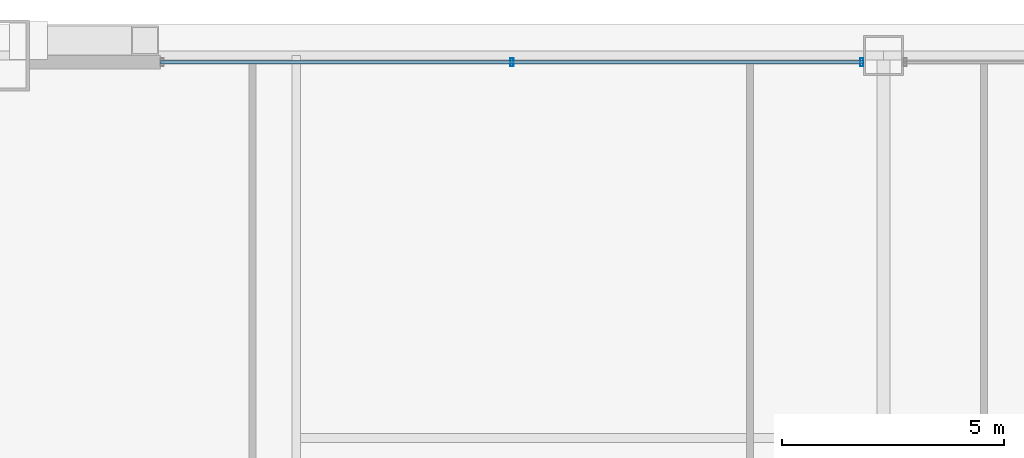
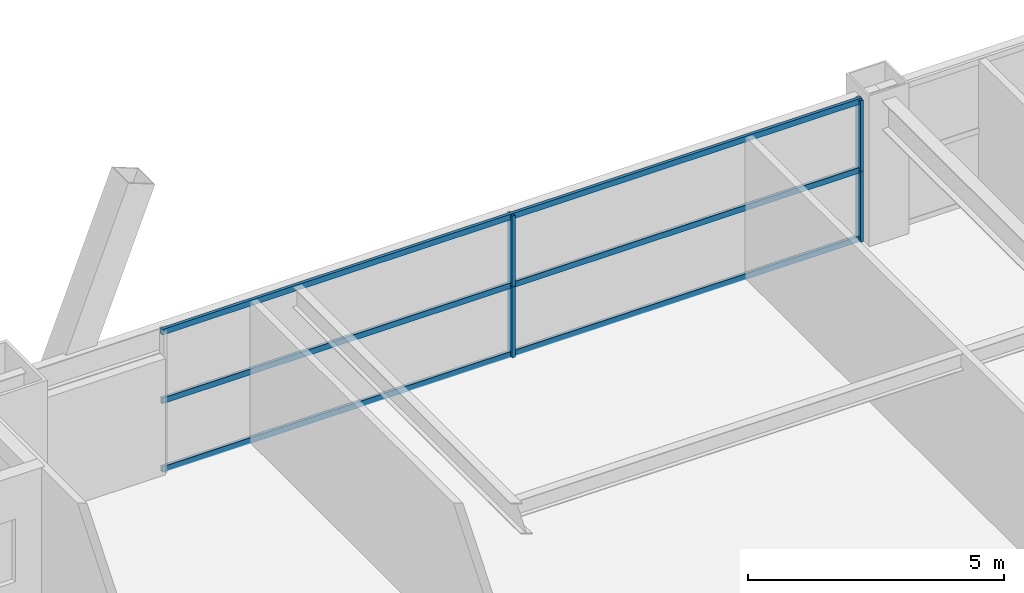
# One storey, part 30 of 43: 7 members, 1 element without a shape of its own.
"""IFC4 building model written with IfcOpenShell, lengths in metres."""

import ifcopenshell
import ifcopenshell.guid

model = None  # the IFC model being written
_history = None  # IfcOwnerHistory: only IFC2X3 demands one
_inside = {}  # id of a spatial element -> (the spatial element, [elements in it])
_under = {}  # id of a project, library or spatial element -> (it, [spatial elements below it])
_declared = {}  # id of a project -> (the project, [libraries it declares])
_typed = {}  # id of a type object -> (the type object, [elements of that type])
_made_of = {}  # id of a material, layer set ... -> (it, [elements and type objects made of it])


def new_model(schema):
    """Start an empty IFC model of exactly this schema.

    Asked for "IFC4X3", IfcOpenShell would pick the latest addendum, in which some entities
    have other attributes; the version numbers below select the first issue.
    IFC2X3 requires an IfcOwnerHistory on every rooted entity: one is made here for all.
    """
    global model, _history
    if schema == "IFC4X3":
        model = ifcopenshell.file(schema_version=(4, 3, 0, 0))
    else:
        model = ifcopenshell.file(schema=schema)
    _inside.clear()
    _under.clear()
    _declared.clear()
    _typed.clear()
    _made_of.clear()
    _history = None
    if model.schema == "IFC2X3":
        org = make("IfcOrganization", Name="unknown")
        user = make(
            "IfcPersonAndOrganization",
            ThePerson=make("IfcPerson", FamilyName="unknown"),
            TheOrganization=org,
        )
        app = make(
            "IfcApplication",
            ApplicationDeveloper=org,
            Version="unknown",
            ApplicationFullName="unknown",
            ApplicationIdentifier="unknown",
        )
        _history = make(
            "IfcOwnerHistory",
            OwningUser=user,
            OwningApplication=app,
            ChangeAction="ADDED",
            CreationDate=0,
        )
    return model


def make(cls, **values):
    """One entity of the class cls with the attributes given. An attribute that is None is left unset."""
    return model.create_entity(
        cls, **{name: value for name, value in values.items() if value is not None}
    )


def rooted(cls, **values):
    """An entity with a GlobalId (a new one), such as an element, a storey or a relation."""
    return make(cls, GlobalId=ifcopenshell.guid.new(), OwnerHistory=_history, **values)


def si_unit(unit_type, name, prefix=None):
    """IfcSIUnit, for example si_unit("LENGTHUNIT", "METRE", prefix="MILLI")."""
    return make("IfcSIUnit", UnitType=unit_type, Prefix=prefix, Name=name)


def assignment(units):
    """IfcUnitAssignment: the units of a project."""
    return None if units is None else make("IfcUnitAssignment", Units=units)


def point(xyz):
    """IfcCartesianPoint."""
    return None if xyz is None else make("IfcCartesianPoint", Coordinates=xyz)


def direction(xyz):
    """IfcDirection."""
    return None if xyz is None else make("IfcDirection", DirectionRatios=xyz)


def frame(location, z_axis=None, x_axis=None):
    """IfcAxis2Placement3D, a coordinate frame: its origin and axes. An axis left out is left unset."""
    return make(
        "IfcAxis2Placement3D",
        Location=point(location),
        Axis=direction(z_axis),
        RefDirection=direction(x_axis),
    )


def frame_2d(location, x_axis=None):
    """IfcAxis2Placement2D, a coordinate frame in the plane: its origin and x axis."""
    return make(
        "IfcAxis2Placement2D", Location=point(location), RefDirection=direction(x_axis)
    )


def origin():
    """The frame at (0, 0, 0) with its axes left unset."""
    return frame((0.0, 0.0, 0.0))


def origin_2d():
    """The frame at (0, 0) in the plane with its x axis left unset."""
    return frame_2d((0.0, 0.0))


def place(relative_to, where):
    """IfcLocalPlacement: puts the frame where relative to a parent placement (None: the world)."""
    return make(
        "IfcLocalPlacement", PlacementRelTo=relative_to, RelativePlacement=where
    )


def context(
    kind, dimensions, precision=None, world=None, true_north=None, identifier=None
):
    """IfcGeometricRepresentationContext, for example the 3D "Model" context."""
    return make(
        "IfcGeometricRepresentationContext",
        ContextIdentifier=identifier,
        ContextType=kind,
        CoordinateSpaceDimension=dimensions,
        Precision=precision,
        WorldCoordinateSystem=world,
        TrueNorth=true_north,
    )


def subcontext(parent, identifier, kind, view, scale=None):
    """IfcGeometricRepresentationSubContext, for example "Body" below "Model"."""
    return make(
        "IfcGeometricRepresentationSubContext",
        ContextIdentifier=identifier,
        ContextType=kind,
        ParentContext=parent,
        TargetScale=scale,
        TargetView=view,
    )


def project(units=None, contexts=None):
    """IfcProject with its units and contexts."""
    return rooted(
        "IfcProject",
        Name="project",
        RepresentationContexts=contexts,
        UnitsInContext=assignment(units),
    )


def spatial(cls, under=None, at=None, **own):
    """A site, building, storey or space (cls), placed at a placement, below another one or the project."""
    s = rooted(cls, ObjectPlacement=at, **own)
    if under is not None:
        _under.setdefault(under.id(), (under, []))[1].append(s)
    return s


def profile(cls, at=None, kind="AREA", **sizes):
    """A parametric profile (cls). Its sizes go by their IFC names, for example OverallWidth=200.0."""
    return make(cls, ProfileType=kind, Position=at, **sizes)


def hollow_rectangle(**sizes):
    """IfcRectangleHollowProfileDef."""
    return profile("IfcRectangleHollowProfileDef", **sizes)


def extrude(swept, where, along, depth):
    """IfcExtrudedAreaSolid: the profile swept, set in the frame where, extruded along a direction by depth."""
    return make(
        "IfcExtrudedAreaSolid",
        SweptArea=swept,
        Position=where,
        ExtrudedDirection=direction(along),
        Depth=depth,
    )


def shape(context_of_items, identifier, shape_type, items):
    """IfcShapeRepresentation: the items that make up one representation, for example the "Body"."""
    return make(
        "IfcShapeRepresentation",
        ContextOfItems=context_of_items,
        RepresentationIdentifier=identifier,
        RepresentationType=shape_type,
        Items=items,
    )


def source(mapping_origin, context_of_items, identifier, shape_type, items):
    """IfcRepresentationMap: a shape defined once, which mapped items show again and again."""
    return make(
        "IfcRepresentationMap",
        MappingOrigin=mapping_origin,
        MappedRepresentation=shape(context_of_items, identifier, shape_type, items),
    )


def transform(
    local_origin,
    x_axis=None,
    y_axis=None,
    z_axis=None,
    scale=None,
    scale2=None,
    scale3=None,
    uniform=True,
):
    """IfcCartesianTransformationOperator3D, or its non-uniform kind. x_axis, y_axis, z_axis: its Axis1, 2, 3."""
    if uniform:
        return make(
            "IfcCartesianTransformationOperator3D",
            Axis1=direction(x_axis),
            Axis2=direction(y_axis),
            LocalOrigin=point(local_origin),
            Scale=scale,
            Axis3=direction(z_axis),
        )
    return make(
        "IfcCartesianTransformationOperator3DnonUniform",
        Axis1=direction(x_axis),
        Axis2=direction(y_axis),
        LocalOrigin=point(local_origin),
        Scale=scale,
        Axis3=direction(z_axis),
        Scale2=scale2,
        Scale3=scale3,
    )


def mapped(mapping_source, mapping_target):
    """IfcMappedItem: shows the shape of a source again, moved by a transform."""
    return make(
        "IfcMappedItem", MappingSource=mapping_source, MappingTarget=mapping_target
    )


def material(Name=None, Category=None):
    """IfcMaterial."""
    return make("IfcMaterial", Name=Name, Category=Category)


def layer(
    of_material, thickness, ventilated=None, Name=None, Category=None, Priority=None
):
    """IfcMaterialLayer: one layer of a wall or slab, of a material (None: an air gap)."""
    return make(
        "IfcMaterialLayer",
        Material=of_material,
        LayerThickness=thickness,
        IsVentilated=ventilated,
        Name=Name,
        Category=Category,
        Priority=Priority,
    )


def layer_set(layers, Name=None):
    """IfcMaterialLayerSet."""
    return make("IfcMaterialLayerSet", MaterialLayers=layers, LayerSetName=Name)


def material_profile(
    of_material, cross_section, Name=None, Category=None, Priority=None
):
    """IfcMaterialProfile: a cross section and its material."""
    return make(
        "IfcMaterialProfile",
        Name=Name,
        Material=of_material,
        Profile=cross_section,
        Priority=Priority,
        Category=Category,
    )


def profile_set(profiles, Name=None, composite=None):
    """IfcMaterialProfileSet."""
    return make(
        "IfcMaterialProfileSet",
        Name=Name,
        MaterialProfiles=profiles,
        CompositeProfile=composite,
    )


def made_of(thing, what):
    """Note that an element or type object is made of a material, layer set ...; save() writes the relation."""
    if what is not None:
        _made_of.setdefault(what.id(), (what, []))[1].append(thing)
    return thing


def type_object(cls, material=None, **own):
    """A type object (cls), such as IfcWallType, which elements share."""
    return made_of(rooted(cls, **own), material)


def element(
    cls,
    number,
    at=None,
    inside=None,
    cuts=None,
    type_object=None,
    material=None,
    context=None,
    identifier="Body",
    shape_type=None,
    held_by="IfcProductDefinitionShape",
    body=None,
    shapes=None,
    **own,
):
    """One element of the class cls, such as IfcWall. Its Tag is "e" and its number.

    at: its placement. inside: the storey or other place that contains it. cuts: it is an
    opening in that element (IfcRelVoidsElement). A single representation is given by context,
    identifier, shape_type and body (its items); several are given by shapes. held_by: the class
    of the entity that holds the representations. save() writes the other relations.
    """
    e = rooted(cls, Tag="e%d" % number, ObjectPlacement=at, **own)
    if body is not None:
        shapes = [shape(context, identifier, shape_type, body)]
    if shapes is not None:
        e.Representation = make(held_by, Representations=shapes)
    if inside is not None:
        _inside.setdefault(inside.id(), (inside, []))[1].append(e)
    if cuts is not None:
        rooted(
            "IfcRelVoidsElement", RelatingBuildingElement=cuts, RelatedOpeningElement=e
        )
    if type_object is not None:
        _typed.setdefault(type_object.id(), (type_object, []))[1].append(e)
    return made_of(e, material)


def aggregate(whole, parts):
    """IfcRelAggregates: a whole, such as a stair, and the parts it consists of."""
    return rooted("IfcRelAggregates", RelatingObject=whole, RelatedObjects=parts)


def save(model, path):
    """Write the relations noted so far, then the file.

    IfcRelAggregates (storeys below a building ...), IfcRelContainedInSpatialStructure (elements
    in a storey), IfcRelDefinesByType, IfcRelAssociatesMaterial and IfcRelDeclares: one each for
    every whole, place, type object, material and project.
    """
    for whole, parts in _under.values():
        aggregate(whole, parts)
    for where, things in _inside.values():
        rooted(
            "IfcRelContainedInSpatialStructure",
            RelatedElements=things,
            RelatingStructure=where,
        )
    for kind, things in _typed.values():
        rooted("IfcRelDefinesByType", RelatedObjects=things, RelatingType=kind)
    for what, things in _made_of.values():
        rooted("IfcRelAssociatesMaterial", RelatedObjects=things, RelatingMaterial=what)
    for by, libraries in _declared.values():
        rooted("IfcRelDeclares", RelatingContext=by, RelatedDefinitions=libraries)
    model.write(path)


model = new_model("IFC4")

# Units and contexts
model_context = context("Model", 3, precision=1e-05, world=origin(), true_north=direction((0.0, 1.0)))
body_context = subcontext(model_context, "Body", "Model", "MODEL_VIEW")
ifc_project = project(units=[si_unit("LENGTHUNIT", "METRE"), si_unit("AREAUNIT", "SQUARE_METRE"), si_unit("VOLUMEUNIT", "CUBIC_METRE"), si_unit("PLANEANGLEUNIT", "RADIAN"), si_unit("MASSUNIT", "GRAM", prefix="KILO"), si_unit("THERMODYNAMICTEMPERATUREUNIT", "KELVIN"), si_unit("POWERUNIT", "WATT")], contexts=[model_context])

# Site, building, storey
site_placement = place(None, origin())
site = spatial("IfcSite", under=ifc_project, at=site_placement, CompositionType="ELEMENT")
building_placement = place(site_placement, origin())
building = spatial("IfcBuilding", under=site, at=building_placement, Name="Yuzanri Waterfront Tower", CompositionType="ELEMENT")
storey_placement = place(building_placement, frame((0.0, 0.0, 138.0)))
storey = spatial("IfcBuildingStorey", under=building, at=storey_placement, Name="L36", CompositionType="ELEMENT", Elevation=138.0)

# Curtain wall, members
ifc_material_1 = material(Name="Anodized Architectural Bronze", Category="metal")
ifc_layer = layer(ifc_material_1, 0.159912109375)
ifc_layer_set = layer_set([ifc_layer], Name="Anodized Architectural Bronze")
curtain_wall_type = type_object("IfcCurtainWallType", Name="Anodized Bronze Hotel Upper-Tier Solar-Control Unitized Curtain Wall 7800", PredefinedType="NOTDEFINED", material=ifc_layer_set)
curtain_wall_placement = place(storey_placement, origin())
curtain_wall = element("IfcCurtainWall", 1, at=curtain_wall_placement, inside=storey, type_object=curtain_wall_type, Name="L36 Curtain Wall CW-L36-NL", PredefinedType="NOTDEFINED")
ifc_material_2 = material(Name="Anodized Architectural Bronze", Category="metal")
ifc_material_profile_1 = material_profile(ifc_material_2, hollow_rectangle(XDim=0.070068359375, YDim=0.179931640625, WallThickness=0.00390625, at=origin_2d()), Name="CWM 70x180")
ifc_profile_set_1 = profile_set([ifc_material_profile_1], Name="Anodized Architectural Bronze")
member_type_1 = type_object("IfcMemberType", Name="Anodized Bronze Standard Curtain-Wall Mullion 70x180", PredefinedType="MULLION", material=ifc_profile_set_1)
shared_shape_1 = source(origin(), body_context, "Body", "SweptSolid", [
    extrude(hollow_rectangle(XDim=0.070068359375, YDim=0.179931640625, WallThickness=0.00390625, at=origin_2d()), origin(), (0.0, 0.0, 1.0), 1.68798828125),
])
member_1_placement = place(storey_placement, frame((28.64990234375, 49.25, 0.0), z_axis=(0.0, 0.0, 1.0), x_axis=(1.0, 0.0, 0.0)))
member_1 = element("IfcMember", 2, at=member_1_placement, type_object=member_type_1, Name="CW-L36-NL Lower Mullion 01", PredefinedType="MULLION", context=body_context, shape_type="MappedRepresentation", body=[
    mapped(shared_shape_1, transform((0.0, 0.0, 0.0), scale=1.0)),
])
member_2_placement = place(storey_placement, frame((28.64990234375, 49.25, 1.69189453125), z_axis=(0.0, 0.0, 1.0), x_axis=(1.0, 0.0, 0.0)))
member_2 = element("IfcMember", 3, at=member_2_placement, type_object=member_type_1, Name="CW-L36-NL Upper Mullion 01", PredefinedType="MULLION", context=body_context, shape_type="MappedRepresentation", body=[
    mapped(shared_shape_1, transform((0.0, 0.0, 0.0), scale=1.0)),
])
member_3_placement = place(storey_placement, frame((36.510009765625, 49.25, 0.0), z_axis=(0.0, 0.0, 1.0), x_axis=(1.0, 0.0, 0.0)))
member_3 = element("IfcMember", 4, at=member_3_placement, type_object=member_type_1, Name="CW-L36-NL Lower Mullion 02", PredefinedType="MULLION", context=body_context, shape_type="MappedRepresentation", body=[
    mapped(shared_shape_1, transform((0.0, 0.0, 0.0), scale=1.0)),
])
member_4_placement = place(storey_placement, frame((36.510009765625, 49.25, 1.69189453125), z_axis=(0.0, 0.0, 1.0), x_axis=(1.0, 0.0, 0.0)))
member_4 = element("IfcMember", 5, at=member_4_placement, type_object=member_type_1, Name="CW-L36-NL Upper Mullion 02", PredefinedType="MULLION", context=body_context, shape_type="MappedRepresentation", body=[
    mapped(shared_shape_1, transform((0.0, 0.0, 0.0), scale=1.0)),
])
ifc_material_3 = material(Name="Anodized Architectural Bronze", Category="metal")
ifc_material_profile_2 = material_profile(ifc_material_3, hollow_rectangle(XDim=0.070068359375, YDim=0.135009765625, WallThickness=0.00341796875, at=origin_2d()), Name="CWT 70x135")
ifc_profile_set_2 = profile_set([ifc_material_profile_2], Name="Anodized Architectural Bronze")
member_type_2 = type_object("IfcMemberType", Name="Anodized Bronze Standard Curtain-Wall Transom 70x135", PredefinedType="USERDEFINED", material=ifc_profile_set_2)
shared_shape_2 = source(origin(), body_context, "Body", "SweptSolid", [
    extrude(hollow_rectangle(XDim=0.070068359375, YDim=0.135009765625, WallThickness=0.00341796875, at=origin_2d()), origin(), (0.0, 0.0, 1.0), 15.800048828125),
])
member_5_placement = place(storey_placement, frame((20.75, 49.25, 0.050048828125), z_axis=(1.0, 0.0, 0.0), x_axis=(0.0, 1.0, 0.0)))
member_5 = element("IfcMember", 6, at=member_5_placement, type_object=member_type_2, Name="CW-L36-NL Transom 1", ObjectType="TRANSOM", PredefinedType="USERDEFINED", context=body_context, shape_type="MappedRepresentation", body=[
    mapped(shared_shape_2, transform((0.0, 0.0, 0.0), scale=1.0)),
])
member_6_placement = place(storey_placement, frame((20.75, 49.25, 1.68994140625), z_axis=(1.0, 0.0, 0.0), x_axis=(0.0, 1.0, 0.0)))
member_6 = element("IfcMember", 7, at=member_6_placement, type_object=member_type_2, Name="CW-L36-NL Transom 2", ObjectType="TRANSOM", PredefinedType="USERDEFINED", context=body_context, shape_type="MappedRepresentation", body=[
    mapped(shared_shape_2, transform((0.0, 0.0, 0.0), scale=1.0)),
])
member_7_placement = place(storey_placement, frame((20.75, 49.25, 3.330078125), z_axis=(1.0, 0.0, 0.0), x_axis=(0.0, 1.0, 0.0)))
member_7 = element("IfcMember", 8, at=member_7_placement, type_object=member_type_2, Name="CW-L36-NL Transom 3", ObjectType="TRANSOM", PredefinedType="USERDEFINED", context=body_context, shape_type="MappedRepresentation", body=[
    mapped(shared_shape_2, transform((0.0, 0.0, 0.0), scale=1.0)),
])
aggregate(curtain_wall, [member_1, member_2, member_3, member_4, member_5, member_6, member_7])

save(model, "model.ifc")
